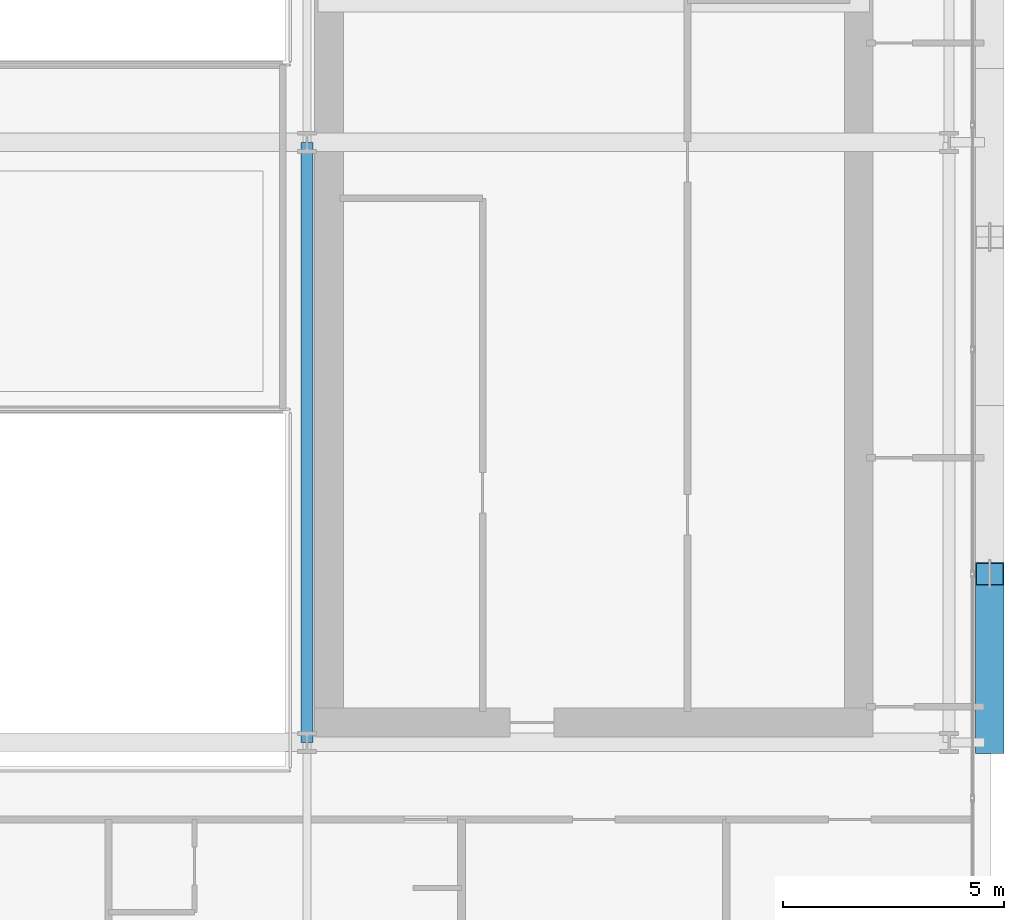
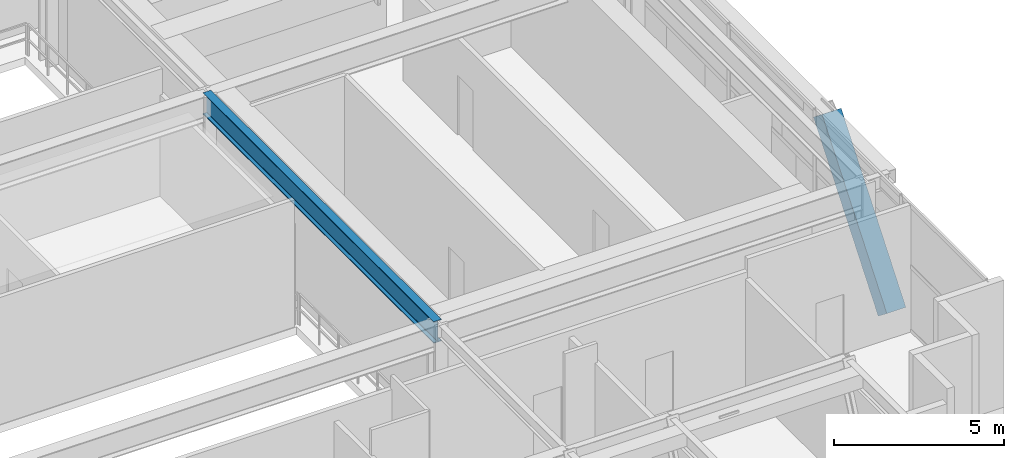
# One storey, part 12 of 35: 1 beam, 1 member.
"""IFC4 building model written with IfcOpenShell, lengths in metres."""

from ifc_helpers import new_model, si_unit, direction, frame, origin, origin_2d, place, context, subcontext, project, spatial, hollow_rectangle, i_section, extrude, source, transform, mapped, material, material_profile, profile_set, type_object, element, save


model = new_model("IFC4")

# Units and contexts
model_context = context("Model", 3, precision=1e-05, world=origin(), true_north=direction((0.0, 1.0)))
body_context = subcontext(model_context, "Body", "Model", "MODEL_VIEW")
ifc_project = project(units=[si_unit("LENGTHUNIT", "METRE"), si_unit("AREAUNIT", "SQUARE_METRE"), si_unit("VOLUMEUNIT", "CUBIC_METRE"), si_unit("PLANEANGLEUNIT", "RADIAN"), si_unit("MASSUNIT", "GRAM", prefix="KILO")], contexts=[model_context])

# Site, building, storey
site_placement = place(None, origin())
site = spatial("IfcSite", under=ifc_project, at=site_placement, CompositionType="ELEMENT")
building_placement = place(site_placement, origin())
building = spatial("IfcBuilding", under=site, at=building_placement, Name="Ocotamira Hotel", CompositionType="ELEMENT")
storey_placement = place(building_placement, frame((0.0, 0.0, 158.39990234375)))
storey = spatial("IfcBuildingStorey", under=building, at=storey_placement, Name="L39", CompositionType="ELEMENT", Elevation=158.39990234375)

# Beam
ifc_material_1 = material(Name="Steel ASTM A992 Grade 50", Category="steel")
ifc_material_profile_1 = material_profile(ifc_material_1, i_section(OverallWidth=0.26611328125, OverallDepth=0.779052734375, WebThickness=0.0166015625, FlangeThickness=0.030029296875, FilletRadius=0.01806640625, at=origin_2d()), Name="W30X148")
ifc_profile_set_1 = profile_set([ifc_material_profile_1], Name="Steel ASTM A992 Grade 50")
beam_type = type_object("IfcBeamType", Name="BM-GIRD-W30X148", PredefinedType="BEAM", material=ifc_profile_set_1)
shared_shape_1 = source(origin(), body_context, "Body", "SweptSolid", [
    extrude(i_section(OverallWidth=0.26611328125, OverallDepth=0.779052734375, WebThickness=0.0166015625, FlangeThickness=0.030029296875, FilletRadius=0.01806640625, at=origin_2d()), origin(), (0.0, 0.0, 1.0), 13.599853515625),
])
beam_placement = place(storey_placement, frame((40.5, 14.550048828125, 4.1806640625), z_axis=(0.0, 1.0, 0.0), x_axis=(-1.0, 0.0, 0.0)))
element("IfcBeam", 1, at=beam_placement, inside=storey, type_object=beam_type, Name="L39 Beam X40.5 Y14.55-28.15", PredefinedType="BEAM", context=body_context, shape_type="MappedRepresentation", body=[
    mapped(shared_shape_1, transform((0.0, 0.0, 0.0), scale=1.0)),
])

# Member
ifc_material_2 = material(Name="Pale-metal coated steel ASTM A913 Grade 65", Category="steel")
ifc_material_profile_2 = material_profile(ifc_material_2, hollow_rectangle(XDim=0.64990234375, YDim=0.64990234375, WallThickness=0.02197265625, at=origin_2d()), Name="BOX650X650X22")
ifc_profile_set_2 = profile_set([ifc_material_profile_2], Name="Pale-metal coated steel ASTM A913 Grade 65")
member_type = type_object("IfcMemberType", Name="MEM-EXO-BOX650", PredefinedType="BRACE", material=ifc_profile_set_2)
shared_shape_2 = source(origin(), body_context, "Body", "SweptSolid", [
    extrude(hollow_rectangle(XDim=0.64990234375, YDim=0.64990234375, WallThickness=0.02197265625, at=origin_2d()), origin(), (0.0, 0.0, 1.0), 6.171630859375),
])
member_placement = place(storey_placement, frame((55.969970703125, 14.550048828125, -0.52978515625), z_axis=(0.0, 0.618427608591, 0.785841773471), x_axis=(-1.0, 0.0, 0.0)))
element("IfcMember", 2, at=member_placement, inside=storey, type_object=member_type, Name="L39 Exoskeleton Diagrid E0.1", PredefinedType="BRACE", context=body_context, shape_type="MappedRepresentation", body=[
    mapped(shared_shape_2, transform((0.0, 0.0, 0.0), scale=1.0)),
])

save(model, "model.ifc")
